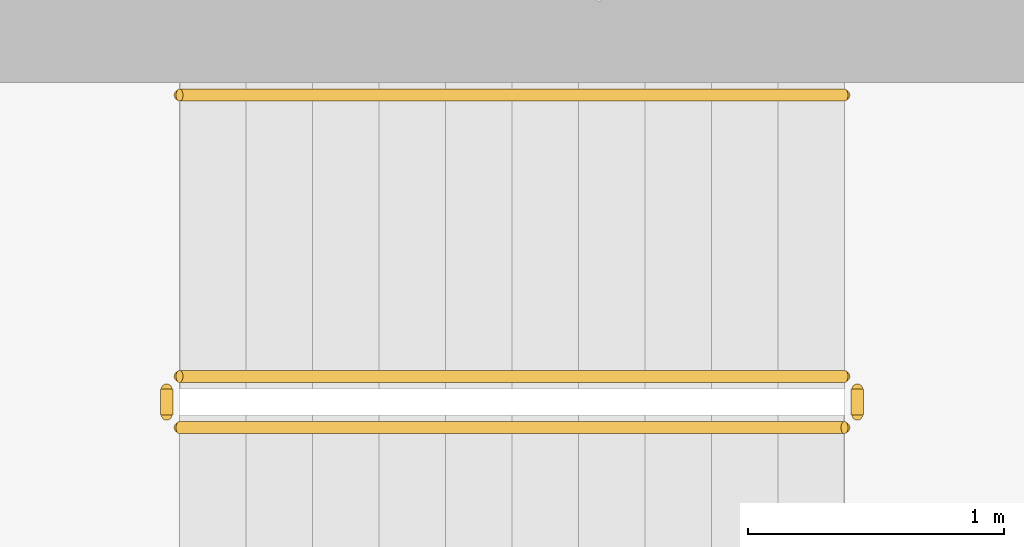
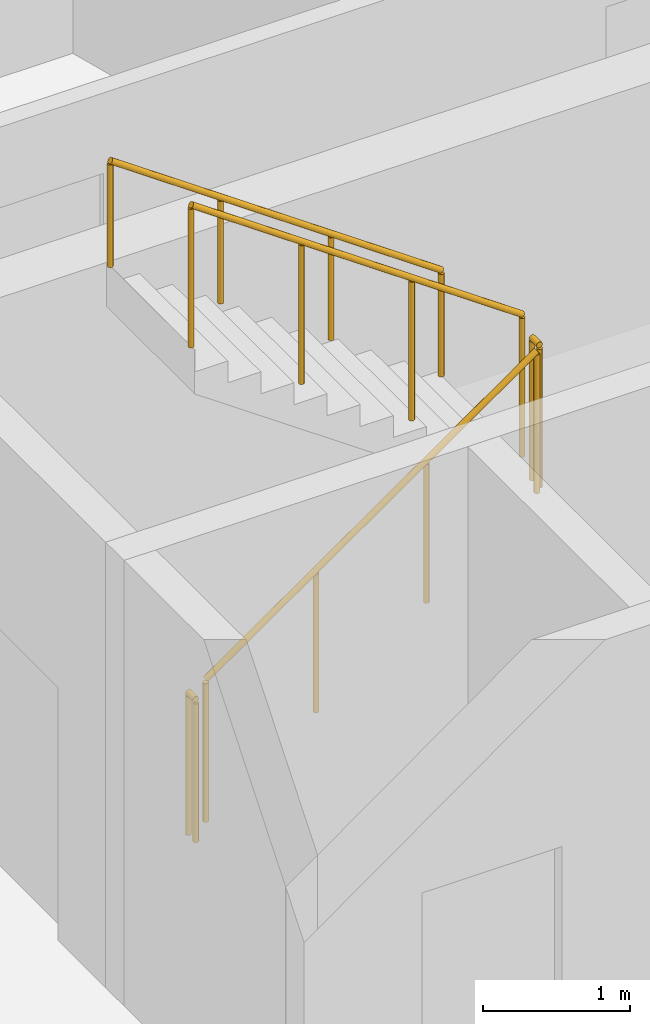
# One storey, part 15 of 18: 5 railings.
"""IFC4 building model written with IfcOpenShell, lengths in metres."""

from ifc_helpers import new_model, si_unit, direction, frame, origin, origin_2d, place, context, subcontext, project, spatial, circle, extrude, material, type_object, element, save


model = new_model("IFC4")

# Units and contexts
model_context = context("Model", 3, precision=1e-05, world=origin(), true_north=direction((0.0, 1.0)))
body_context = subcontext(model_context, "Body", "Model", "MODEL_VIEW")
ifc_project = project(units=[si_unit("LENGTHUNIT", "METRE"), si_unit("AREAUNIT", "SQUARE_METRE"), si_unit("VOLUMEUNIT", "CUBIC_METRE"), si_unit("PLANEANGLEUNIT", "RADIAN"), si_unit("MASSUNIT", "GRAM", prefix="KILO")], contexts=[model_context])

# Site, building, storey
site_placement = place(None, origin())
site = spatial("IfcSite", under=ifc_project, at=site_placement, CompositionType="ELEMENT")
building_placement = place(site_placement, origin())
building = spatial("IfcBuilding", under=site, at=building_placement, Name="Sahrelin Media Tower", CompositionType="ELEMENT")
storey_placement = place(building_placement, frame((0.0, 0.0, 295.0)))
storey = spatial("IfcBuildingStorey", under=building, at=storey_placement, Name="L65", CompositionType="ELEMENT", Elevation=295.0)

# Railings
ifc_material = material(Name="Steel S355", Category="steel")
railing_type_1 = type_object("IfcRailingType", Name="Stair guard 1200", PredefinedType="GUARDRAIL", material=ifc_material)
railing_1_placement = place(storey_placement, frame((-7.675048828125, 5.25, 0.181884765625)))
element("IfcRailing", 1, at=railing_1_placement, inside=storey, type_object=railing_type_1, Name="L65 ST1 stair guard 1", PredefinedType="GUARDRAIL", context=body_context, shape_type="SweptSolid", body=[
    extrude(circle(Radius=0.02392578125, at=origin_2d()), frame((0.0, 0.0, 1.17578125), z_axis=(0.819521025635, 0.0, 0.573049115296), x_axis=(0.0, 1.0, 0.0)), (0.0, 0.0, 1.0), 3.172607421875),
    extrude(circle(Radius=0.02099609375, at=origin_2d()), origin(), (0.0, 0.0, 1.0), 1.15185546875),
    extrude(circle(Radius=0.02099609375, at=origin_2d()), frame((0.86669921875, 0.0, 0.60595703125)), (0.0, 0.0, 1.0), 1.15185546875),
    extrude(circle(Radius=0.02099609375, at=origin_2d()), frame((1.7333984375, 0.0, 1.212158203125)), (0.0, 0.0, 1.0), 1.15185546875),
    extrude(circle(Radius=0.02099609375, at=origin_2d()), frame((2.60009765625, 0.0, 1.818115234375)), (0.0, 0.0, 1.0), 1.15185546875),
])
railing_2_placement = place(storey_placement, frame((-5.02490234375, 5.300048828125, 2.0)))
element("IfcRailing", 2, at=railing_2_placement, inside=storey, type_object=railing_type_1, Name="L65 ST1 stair guard 2", PredefinedType="GUARDRAIL", context=body_context, shape_type="SweptSolid", body=[
    extrude(circle(Radius=0.02392578125, at=origin_2d()), frame((0.0, 0.0, 1.17578125), z_axis=(0.0, 1.0, 0.0), x_axis=(-1.0, 0.0, 0.0)), (0.0, 0.0, 1.0), 0.099853515625),
    extrude(circle(Radius=0.02099609375, at=origin_2d()), origin(), (0.0, 0.0, 1.0), 1.15185546875),
    extrude(circle(Radius=0.02099609375, at=origin_2d()), frame((0.0, 0.099853515625, 0.0)), (0.0, 0.0, 1.0), 1.15185546875),
])
railing_3_placement = place(storey_placement, frame((-5.074951171875, 5.449951171875, 2.181884765625)))
element("IfcRailing", 3, at=railing_3_placement, inside=storey, type_object=railing_type_1, Name="L65 ST1 stair guard 3", PredefinedType="GUARDRAIL", context=body_context, shape_type="SweptSolid", body=[
    extrude(circle(Radius=0.02392578125, at=origin_2d()), frame((0.0, 0.0, 1.17578125), z_axis=(-0.819521025635, 0.0, 0.573049115296), x_axis=(0.0, -1.0, 0.0)), (0.0, 0.0, 1.0), 3.172607421875),
    extrude(circle(Radius=0.02099609375, at=origin_2d()), origin(), (0.0, 0.0, 1.0), 1.15185546875),
    extrude(circle(Radius=0.02099609375, at=origin_2d()), frame((-0.86669921875, 0.0, 0.60595703125)), (0.0, 0.0, 1.0), 1.15185546875),
    extrude(circle(Radius=0.02099609375, at=origin_2d()), frame((-1.7333984375, 0.0, 1.212158203125)), (0.0, 0.0, 1.0), 1.15185546875),
    extrude(circle(Radius=0.02099609375, at=origin_2d()), frame((-2.60009765625, 0.0, 1.818115234375)), (0.0, 0.0, 1.0), 1.15185546875),
])
railing_4_placement = place(storey_placement, frame((-7.72509765625, 5.300048828125, 0.0)))
element("IfcRailing", 4, at=railing_4_placement, inside=storey, type_object=railing_type_1, Name="L65 ST1 stair guard 4", PredefinedType="GUARDRAIL", context=body_context, shape_type="SweptSolid", body=[
    extrude(circle(Radius=0.02392578125, at=origin_2d()), frame((0.0, 0.0, 1.17578125), z_axis=(0.0, 1.0, 0.0), x_axis=(-1.0, 0.0, 0.0)), (0.0, 0.0, 1.0), 0.099853515625),
    extrude(circle(Radius=0.02099609375, at=origin_2d()), origin(), (0.0, 0.0, 1.0), 1.15185546875),
    extrude(circle(Radius=0.02099609375, at=origin_2d()), frame((0.0, 0.099853515625, 0.0)), (0.0, 0.0, 1.0), 1.15185546875),
])
railing_type_2 = type_object("IfcRailingType", Name="Stair handrail 900", PredefinedType="HANDRAIL", material=ifc_material)
railing_5_placement = place(storey_placement, frame((-5.074951171875, 6.550048828125, 2.181884765625)))
element("IfcRailing", 5, at=railing_5_placement, inside=storey, type_object=railing_type_2, Name="L65 ST1 stair handrail 2", PredefinedType="HANDRAIL", context=body_context, shape_type="SweptSolid", body=[
    extrude(circle(Radius=0.02392578125, at=origin_2d()), frame((0.0, 0.0, 0.8759765625), z_axis=(-0.819521025635, 0.0, 0.573049115296), x_axis=(0.0, -1.0, 0.0)), (0.0, 0.0, 1.0), 3.172607421875),
    extrude(circle(Radius=0.02099609375, at=origin_2d()), origin(), (0.0, 0.0, 1.0), 0.851806640625),
    extrude(circle(Radius=0.02099609375, at=origin_2d()), frame((-0.86669921875, 0.0, 0.60595703125)), (0.0, 0.0, 1.0), 0.851806640625),
    extrude(circle(Radius=0.02099609375, at=origin_2d()), frame((-1.7333984375, 0.0, 1.212158203125)), (0.0, 0.0, 1.0), 0.851806640625),
    extrude(circle(Radius=0.02099609375, at=origin_2d()), frame((-2.60009765625, 0.0, 1.818115234375)), (0.0, 0.0, 1.0), 0.851806640625),
])

save(model, "model.ifc")
